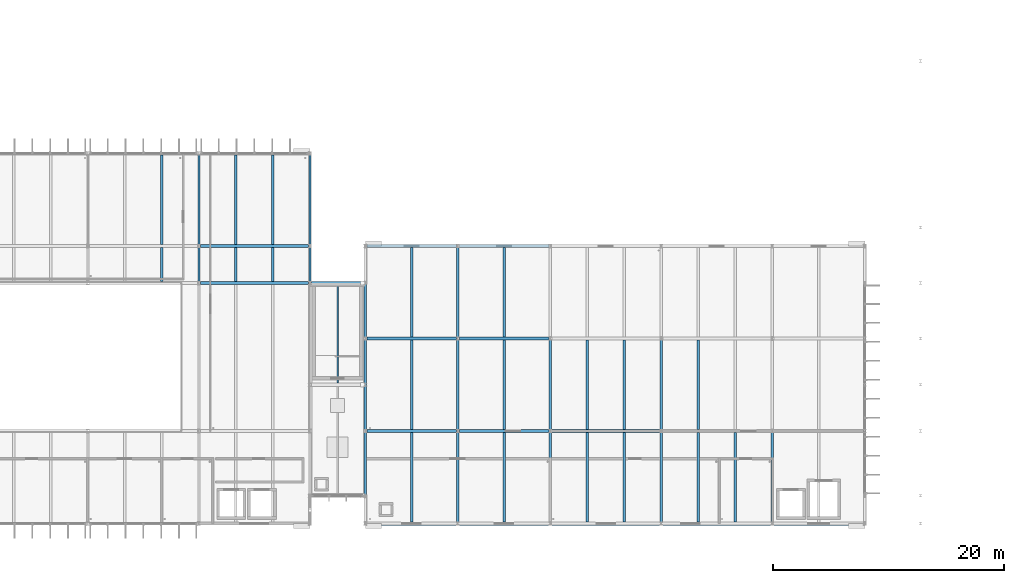
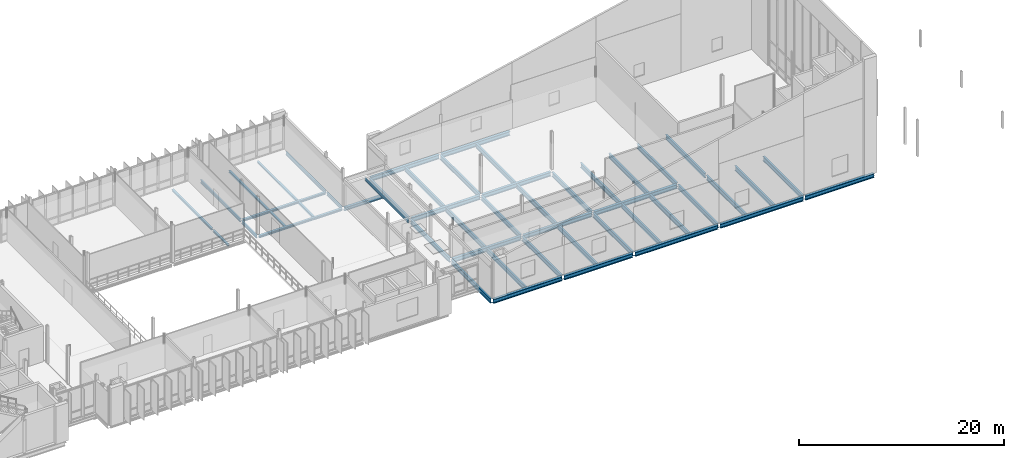
# One storey, part 23 of 59: 50 beams.
"""IFC4 building model written with IfcOpenShell, lengths in metres."""

import ifcopenshell
import ifcopenshell.guid

model = None  # the IFC model being written
_history = None  # IfcOwnerHistory: only IFC2X3 demands one
_inside = {}  # id of a spatial element -> (the spatial element, [elements in it])
_under = {}  # id of a project, library or spatial element -> (it, [spatial elements below it])
_declared = {}  # id of a project -> (the project, [libraries it declares])
_typed = {}  # id of a type object -> (the type object, [elements of that type])
_made_of = {}  # id of a material, layer set ... -> (it, [elements and type objects made of it])


def new_model(schema):
    """Start an empty IFC model of exactly this schema.

    Asked for "IFC4X3", IfcOpenShell would pick the latest addendum, in which some entities
    have other attributes; the version numbers below select the first issue.
    IFC2X3 requires an IfcOwnerHistory on every rooted entity: one is made here for all.
    """
    global model, _history
    if schema == "IFC4X3":
        model = ifcopenshell.file(schema_version=(4, 3, 0, 0))
    else:
        model = ifcopenshell.file(schema=schema)
    _inside.clear()
    _under.clear()
    _declared.clear()
    _typed.clear()
    _made_of.clear()
    _history = None
    if model.schema == "IFC2X3":
        org = make("IfcOrganization", Name="unknown")
        user = make(
            "IfcPersonAndOrganization",
            ThePerson=make("IfcPerson", FamilyName="unknown"),
            TheOrganization=org,
        )
        app = make(
            "IfcApplication",
            ApplicationDeveloper=org,
            Version="unknown",
            ApplicationFullName="unknown",
            ApplicationIdentifier="unknown",
        )
        _history = make(
            "IfcOwnerHistory",
            OwningUser=user,
            OwningApplication=app,
            ChangeAction="ADDED",
            CreationDate=0,
        )
    return model


def make(cls, **values):
    """One entity of the class cls with the attributes given. An attribute that is None is left unset."""
    return model.create_entity(
        cls, **{name: value for name, value in values.items() if value is not None}
    )


def rooted(cls, **values):
    """An entity with a GlobalId (a new one), such as an element, a storey or a relation."""
    return make(cls, GlobalId=ifcopenshell.guid.new(), OwnerHistory=_history, **values)


def si_unit(unit_type, name, prefix=None):
    """IfcSIUnit, for example si_unit("LENGTHUNIT", "METRE", prefix="MILLI")."""
    return make("IfcSIUnit", UnitType=unit_type, Prefix=prefix, Name=name)


def assignment(units):
    """IfcUnitAssignment: the units of a project."""
    return None if units is None else make("IfcUnitAssignment", Units=units)


def point(xyz):
    """IfcCartesianPoint."""
    return None if xyz is None else make("IfcCartesianPoint", Coordinates=xyz)


def direction(xyz):
    """IfcDirection."""
    return None if xyz is None else make("IfcDirection", DirectionRatios=xyz)


def frame(location, z_axis=None, x_axis=None):
    """IfcAxis2Placement3D, a coordinate frame: its origin and axes. An axis left out is left unset."""
    return make(
        "IfcAxis2Placement3D",
        Location=point(location),
        Axis=direction(z_axis),
        RefDirection=direction(x_axis),
    )


def frame_2d(location, x_axis=None):
    """IfcAxis2Placement2D, a coordinate frame in the plane: its origin and x axis."""
    return make(
        "IfcAxis2Placement2D", Location=point(location), RefDirection=direction(x_axis)
    )


def origin():
    """The frame at (0, 0, 0) with its axes left unset."""
    return frame((0.0, 0.0, 0.0))


def origin_2d():
    """The frame at (0, 0) in the plane with its x axis left unset."""
    return frame_2d((0.0, 0.0))


def place(relative_to, where):
    """IfcLocalPlacement: puts the frame where relative to a parent placement (None: the world)."""
    return make(
        "IfcLocalPlacement", PlacementRelTo=relative_to, RelativePlacement=where
    )


def context(
    kind, dimensions, precision=None, world=None, true_north=None, identifier=None
):
    """IfcGeometricRepresentationContext, for example the 3D "Model" context."""
    return make(
        "IfcGeometricRepresentationContext",
        ContextIdentifier=identifier,
        ContextType=kind,
        CoordinateSpaceDimension=dimensions,
        Precision=precision,
        WorldCoordinateSystem=world,
        TrueNorth=true_north,
    )


def subcontext(parent, identifier, kind, view, scale=None):
    """IfcGeometricRepresentationSubContext, for example "Body" below "Model"."""
    return make(
        "IfcGeometricRepresentationSubContext",
        ContextIdentifier=identifier,
        ContextType=kind,
        ParentContext=parent,
        TargetScale=scale,
        TargetView=view,
    )


def project(units=None, contexts=None):
    """IfcProject with its units and contexts."""
    return rooted(
        "IfcProject",
        Name="project",
        RepresentationContexts=contexts,
        UnitsInContext=assignment(units),
    )


def spatial(cls, under=None, at=None, **own):
    """A site, building, storey or space (cls), placed at a placement, below another one or the project."""
    s = rooted(cls, ObjectPlacement=at, **own)
    if under is not None:
        _under.setdefault(under.id(), (under, []))[1].append(s)
    return s


def profile(cls, at=None, kind="AREA", **sizes):
    """A parametric profile (cls). Its sizes go by their IFC names, for example OverallWidth=200.0."""
    return make(cls, ProfileType=kind, Position=at, **sizes)


def i_section(**sizes):
    """IfcIShapeProfileDef."""
    return profile("IfcIShapeProfileDef", **sizes)


def extrude(swept, where, along, depth):
    """IfcExtrudedAreaSolid: the profile swept, set in the frame where, extruded along a direction by depth."""
    return make(
        "IfcExtrudedAreaSolid",
        SweptArea=swept,
        Position=where,
        ExtrudedDirection=direction(along),
        Depth=depth,
    )


def shape(context_of_items, identifier, shape_type, items):
    """IfcShapeRepresentation: the items that make up one representation, for example the "Body"."""
    return make(
        "IfcShapeRepresentation",
        ContextOfItems=context_of_items,
        RepresentationIdentifier=identifier,
        RepresentationType=shape_type,
        Items=items,
    )


def material(Name=None, Category=None):
    """IfcMaterial."""
    return make("IfcMaterial", Name=Name, Category=Category)


def material_profile(
    of_material, cross_section, Name=None, Category=None, Priority=None
):
    """IfcMaterialProfile: a cross section and its material."""
    return make(
        "IfcMaterialProfile",
        Name=Name,
        Material=of_material,
        Profile=cross_section,
        Priority=Priority,
        Category=Category,
    )


def profile_set(profiles, Name=None, composite=None):
    """IfcMaterialProfileSet."""
    return make(
        "IfcMaterialProfileSet",
        Name=Name,
        MaterialProfiles=profiles,
        CompositeProfile=composite,
    )


def made_of(thing, what):
    """Note that an element or type object is made of a material, layer set ...; save() writes the relation."""
    if what is not None:
        _made_of.setdefault(what.id(), (what, []))[1].append(thing)
    return thing


def type_object(cls, material=None, **own):
    """A type object (cls), such as IfcWallType, which elements share."""
    return made_of(rooted(cls, **own), material)


def element(
    cls,
    number,
    at=None,
    inside=None,
    cuts=None,
    type_object=None,
    material=None,
    context=None,
    identifier="Body",
    shape_type=None,
    held_by="IfcProductDefinitionShape",
    body=None,
    shapes=None,
    **own,
):
    """One element of the class cls, such as IfcWall. Its Tag is "e" and its number.

    at: its placement. inside: the storey or other place that contains it. cuts: it is an
    opening in that element (IfcRelVoidsElement). A single representation is given by context,
    identifier, shape_type and body (its items); several are given by shapes. held_by: the class
    of the entity that holds the representations. save() writes the other relations.
    """
    e = rooted(cls, Tag="e%d" % number, ObjectPlacement=at, **own)
    if body is not None:
        shapes = [shape(context, identifier, shape_type, body)]
    if shapes is not None:
        e.Representation = make(held_by, Representations=shapes)
    if inside is not None:
        _inside.setdefault(inside.id(), (inside, []))[1].append(e)
    if cuts is not None:
        rooted(
            "IfcRelVoidsElement", RelatingBuildingElement=cuts, RelatedOpeningElement=e
        )
    if type_object is not None:
        _typed.setdefault(type_object.id(), (type_object, []))[1].append(e)
    return made_of(e, material)


def aggregate(whole, parts):
    """IfcRelAggregates: a whole, such as a stair, and the parts it consists of."""
    return rooted("IfcRelAggregates", RelatingObject=whole, RelatedObjects=parts)


def save(model, path):
    """Write the relations noted so far, then the file.

    IfcRelAggregates (storeys below a building ...), IfcRelContainedInSpatialStructure (elements
    in a storey), IfcRelDefinesByType, IfcRelAssociatesMaterial and IfcRelDeclares: one each for
    every whole, place, type object, material and project.
    """
    for whole, parts in _under.values():
        aggregate(whole, parts)
    for where, things in _inside.values():
        rooted(
            "IfcRelContainedInSpatialStructure",
            RelatedElements=things,
            RelatingStructure=where,
        )
    for kind, things in _typed.values():
        rooted("IfcRelDefinesByType", RelatedObjects=things, RelatingType=kind)
    for what, things in _made_of.values():
        rooted("IfcRelAssociatesMaterial", RelatedObjects=things, RelatingMaterial=what)
    for by, libraries in _declared.values():
        rooted("IfcRelDeclares", RelatingContext=by, RelatedDefinitions=libraries)
    model.write(path)


model = new_model("IFC4")

# Units and contexts
model_context = context("Model", 3, precision=1e-05, world=origin(), true_north=direction((0.0, 1.0)))
body_context = subcontext(model_context, "Body", "Model", "MODEL_VIEW")
ifc_project = project(units=[si_unit("LENGTHUNIT", "METRE"), si_unit("AREAUNIT", "SQUARE_METRE"), si_unit("VOLUMEUNIT", "CUBIC_METRE"), si_unit("PLANEANGLEUNIT", "RADIAN"), si_unit("MASSUNIT", "GRAM", prefix="KILO")], contexts=[model_context])

# Site, building, storey
site_placement = place(None, origin())
site = spatial("IfcSite", under=ifc_project, at=site_placement, CompositionType="ELEMENT")
building_placement = place(site_placement, origin())
building = spatial("IfcBuilding", under=site, at=building_placement, Name="Dunescarp Central Library", CompositionType="ELEMENT")
storey_placement = place(building_placement, frame((0.0, 0.0, 18.60009765625)))
storey = spatial("IfcBuildingStorey", under=building, at=storey_placement, Name="L04", CompositionType="ELEMENT", Elevation=18.60009765625)

# Beams
ifc_material = material(Name="Steel S355JR", Category="steel")
ifc_material_profile_1 = material_profile(ifc_material, i_section(OverallWidth=0.300048828125, OverallDepth=0.389892578125, WebThickness=0.010986328125, FlangeThickness=0.01904296875, at=origin_2d()), Name="HEA 400")
ifc_profile_set_1 = profile_set([ifc_material_profile_1], Name="Steel S355JR")
beam_type_1 = type_object("IfcBeamType", Name="STR-BM-HEA400", PredefinedType="BEAM", material=ifc_profile_set_1)
beam_1_placement = place(storey_placement, frame((76.927978515625, 25.60009765625, -0.445068359375), z_axis=(1.0, 0.0, 0.0), x_axis=(0.0, 1.0, 0.0)))
element("IfcBeam", 1, at=beam_1_placement, inside=storey, type_object=beam_type_1, Name="L04 girder BM-L04-1256", PredefinedType="BEAM", context=body_context, shape_type="SweptSolid", body=[
    extrude(i_section(OverallWidth=0.300048828125, OverallDepth=0.389892578125, WebThickness=0.010986328125, FlangeThickness=0.01904296875, at=origin_2d()), origin(), (0.0, 0.0, 1.0), 4.547119140625),
])
ifc_material_profile_2 = material_profile(ifc_material, i_section(OverallWidth=0.300048828125, OverallDepth=0.489990234375, WebThickness=0.011962890625, FlangeThickness=0.02294921875, at=origin_2d()), Name="HEA 500")
ifc_profile_set_2 = profile_set([ifc_material_profile_2], Name="Steel S355JR")
beam_type_2 = type_object("IfcBeamType", Name="STR-BM-HEA500", PredefinedType="BEAM", material=ifc_profile_set_2)
for number, where, z_axis, x_axis, name in (
    (2, (81.72802734375, 4.800048828125, -0.4951171875), (1.0, 0.0, 0.0), (0.0, 1.0, 0.0), "L04 girder BM-L04-0886"),
    (3, (81.72802734375, 12.800048828125, -0.4951171875), (1.0, 0.0, 0.0), (0.0, 1.0, 0.0), "L04 girder BM-L04-0887"),
    (4, (81.72802734375, 20.800048828125, -0.4951171875), (1.0, 0.0, 0.0), (0.0, 1.0, 0.0), "L04 girder BM-L04-0891"),
    (5, (81.72802734375, 28.800048828125, -0.4951171875), (1.0, 0.0, 0.0), (0.0, 1.0, 0.0), "L04 girder BM-L04-0895"),
    (6, (89.72802734375, 4.800048828125, -0.4951171875), (1.0, 0.0, 0.0), (0.0, 1.0, 0.0), "L04 girder BM-L04-0899"),
    (7, (89.72802734375, 12.800048828125, -0.4951171875), (1.0, 0.0, 0.0), (0.0, 1.0, 0.0), "L04 girder BM-L04-0900"),
    (8, (89.72802734375, 20.800048828125, -0.4951171875), (1.0, 0.0, 0.0), (0.0, 1.0, 0.0), "L04 girder BM-L04-0903"),
    (9, (89.72802734375, 28.800048828125, -0.4951171875), (1.0, 0.0, 0.0), (0.0, 1.0, 0.0), "L04 girder BM-L04-0906"),
):
    element("IfcBeam", number, at=place(storey_placement, frame(where, z_axis=z_axis, x_axis=x_axis)), inside=storey, type_object=beam_type_2, Name=name, PredefinedType="BEAM", context=body_context, shape_type="SweptSolid", body=[
        extrude(i_section(OverallWidth=0.300048828125, OverallDepth=0.489990234375, WebThickness=0.011962890625, FlangeThickness=0.02294921875, at=origin_2d()), origin(), (0.0, 0.0, 1.0), 7.743896484375),
    ])
for number, where, z_axis, x_axis, name in (
    (10, (97.72802734375, 4.800048828125, -0.4951171875), (1.0, 0.0, 0.0), (0.0, 1.0, 0.0), "L04 girder BM-L04-0909"),
    (11, (97.72802734375, 12.800048828125, -0.4951171875), (1.0, 0.0, 0.0), (0.0, 1.0, 0.0), "L04 girder BM-L04-0910"),
):
    element("IfcBeam", number, at=place(storey_placement, frame(where, z_axis=z_axis, x_axis=x_axis)), inside=storey, type_object=beam_type_2, Name=name, PredefinedType="BEAM", context=body_context, shape_type="SweptSolid", body=[
        extrude(i_section(OverallWidth=0.300048828125, OverallDepth=0.489990234375, WebThickness=0.011962890625, FlangeThickness=0.02294921875, at=origin_2d()), origin(), (0.0, 0.0, 1.0), 9.343994140625),
    ])
beam_2_placement = place(storey_placement, frame((107.327880859375, 4.800048828125, -0.4951171875), z_axis=(1.0, 0.0, 0.0), x_axis=(0.0, 1.0, 0.0)))
element("IfcBeam", 12, at=beam_2_placement, inside=storey, type_object=beam_type_2, Name="L04 girder BM-L04-0922", PredefinedType="BEAM", context=body_context, shape_type="SweptSolid", body=[
    extrude(i_section(OverallWidth=0.300048828125, OverallDepth=0.489990234375, WebThickness=0.011962890625, FlangeThickness=0.02294921875, at=origin_2d()), origin(), (0.0, 0.0, 1.0), 9.34423828125),
])
beam_3_placement = place(storey_placement, frame((116.927978515625, 4.800048828125, -0.4951171875), z_axis=(1.0, 0.0, 0.0), x_axis=(0.0, 1.0, 0.0)))
element("IfcBeam", 13, at=beam_3_placement, inside=storey, type_object=beam_type_2, Name="L04 girder BM-L04-0935", PredefinedType="BEAM", context=body_context, shape_type="SweptSolid", body=[
    extrude(i_section(OverallWidth=0.300048828125, OverallDepth=0.489990234375, WebThickness=0.011962890625, FlangeThickness=0.02294921875, at=origin_2d()), origin(), (0.0, 0.0, 1.0), 7.744140625),
])
ifc_material_profile_3 = material_profile(ifc_material, i_section(OverallWidth=0.260009765625, OverallDepth=0.260009765625, WebThickness=0.010009765625, FlangeThickness=0.017578125, at=origin_2d()), Name="HEB 260")
ifc_profile_set_3 = profile_set([ifc_material_profile_3], Name="Steel S355JR")
beam_type_3 = type_object("IfcBeamType", Name="STR-BM-HEB260", PredefinedType="BEAM", material=ifc_profile_set_3)
beam_4_placement = place(storey_placement, frame((67.327880859375, 25.60009765625, -0.380126953125), z_axis=(1.0, 0.0, 0.0), x_axis=(0.0, 1.0, 0.0)))
element("IfcBeam", 14, at=beam_4_placement, inside=storey, type_object=beam_type_3, Name="L04 girder BM-L04-0593", PredefinedType="BEAM", context=body_context, shape_type="SweptSolid", body=[
    extrude(i_section(OverallWidth=0.260009765625, OverallDepth=0.260009765625, WebThickness=0.010009765625, FlangeThickness=0.017578125, at=origin_2d()), origin(), (0.0, 0.0, 1.0), 9.34423828125),
])
beam_5_placement = place(storey_placement, frame((67.324951171875, 28.800048828125, -0.380126953125), z_axis=(1.0, 0.0, 0.0), x_axis=(0.0, 1.0, 0.0)))
element("IfcBeam", 15, at=beam_5_placement, inside=storey, type_object=beam_type_3, Name="L04 girder BM-L04-0597", PredefinedType="BEAM", context=body_context, shape_type="SweptSolid", body=[
    extrude(i_section(OverallWidth=0.260009765625, OverallDepth=0.260009765625, WebThickness=0.010009765625, FlangeThickness=0.017578125, at=origin_2d()), origin(), (0.0, 0.0, 1.0), 9.35009765625),
])
ifc_material_profile_4 = material_profile(ifc_material, i_section(OverallWidth=0.173095703125, OverallDepth=0.36328125, WebThickness=0.009033203125, FlangeThickness=0.015625, at=origin_2d()), Name="UB 356x171x67")
ifc_profile_set_4 = profile_set([ifc_material_profile_4], Name="Steel S355JR")
beam_type_4 = type_object("IfcBeamType", Name="STR-BM-UB356X67", PredefinedType="BEAM", material=ifc_profile_set_4)
beam_6_placement = place(storey_placement, frame((67.199951171875, 25.735107421875, -0.43212890625), z_axis=(0.0, 1.0, 0.0), x_axis=(-1.0, 0.0, 0.0)))
element("IfcBeam", 16, at=beam_6_placement, inside=storey, type_object=beam_type_4, Name="L04 girder BM-L04-0581", PredefinedType="BEAM", context=body_context, shape_type="SweptSolid", body=[
    extrude(i_section(OverallWidth=0.173095703125, OverallDepth=0.36328125, WebThickness=0.009033203125, FlangeThickness=0.015625, at=origin_2d()), origin(), (0.0, 0.0, 1.0), 2.93798828125),
])
beam_7_placement = place(storey_placement, frame((67.199951171875, 28.927001953125, -0.43212890625), z_axis=(0.0, 1.0, 0.0), x_axis=(-1.0, 0.0, 0.0)))
element("IfcBeam", 17, at=beam_7_placement, inside=storey, type_object=beam_type_4, Name="L04 girder BM-L04-0585", PredefinedType="BEAM", context=body_context, shape_type="SweptSolid", body=[
    extrude(i_section(OverallWidth=0.173095703125, OverallDepth=0.36328125, WebThickness=0.009033203125, FlangeThickness=0.015625, at=origin_2d()), origin(), (0.0, 0.0, 1.0), 7.738037109375),
])
beam_8_placement = place(storey_placement, frame((76.800048828125, 25.735107421875, -0.43212890625), z_axis=(0.0, 1.0, 0.0), x_axis=(-1.0, 0.0, 0.0)))
element("IfcBeam", 18, at=beam_8_placement, inside=storey, type_object=beam_type_4, Name="L04 girder BM-L04-0598", PredefinedType="BEAM", context=body_context, shape_type="SweptSolid", body=[
    extrude(i_section(OverallWidth=0.173095703125, OverallDepth=0.36328125, WebThickness=0.009033203125, FlangeThickness=0.015625, at=origin_2d()), origin(), (0.0, 0.0, 1.0), 2.93798828125),
])
beam_9_placement = place(storey_placement, frame((76.800048828125, 28.927001953125, -0.43212890625), z_axis=(0.0, 1.0, 0.0), x_axis=(-1.0, 0.0, 0.0)))
element("IfcBeam", 19, at=beam_9_placement, inside=storey, type_object=beam_type_4, Name="L04 girder BM-L04-0602", PredefinedType="BEAM", context=body_context, shape_type="SweptSolid", body=[
    extrude(i_section(OverallWidth=0.173095703125, OverallDepth=0.36328125, WebThickness=0.009033203125, FlangeThickness=0.015625, at=origin_2d()), origin(), (0.0, 0.0, 1.0), 7.738037109375),
])
ifc_material_profile_5 = material_profile(ifc_material, i_section(OverallWidth=0.210693359375, OverallDepth=0.53955078125, WebThickness=0.01171875, FlangeThickness=0.018798828125, at=origin_2d()), Name="UB 533x210x109")
ifc_profile_set_5 = profile_set([ifc_material_profile_5], Name="Steel S355JR")
beam_type_5 = type_object("IfcBeamType", Name="STR-BM-UB533X109", PredefinedType="BEAM", material=ifc_profile_set_5)
for number, where, z_axis, x_axis, name in (
    (20, (81.60009765625, 4.93505859375, -0.52001953125), (0.0, 1.0, 0.0), (-1.0, 0.0, 0.0), "L04 girder BM-L04-0888"),
    (21, (89.60009765625, 4.93505859375, -0.52001953125), (0.0, 1.0, 0.0), (-1.0, 0.0, 0.0), "L04 girder BM-L04-0889"),
    (22, (81.60009765625, 12.93505859375, -0.52001953125), (0.0, 1.0, 0.0), (-1.0, 0.0, 0.0), "L04 girder BM-L04-0892"),
    (23, (89.60009765625, 12.93505859375, -0.52001953125), (0.0, 1.0, 0.0), (-1.0, 0.0, 0.0), "L04 girder BM-L04-0893"),
    (24, (81.60009765625, 20.93505859375, -0.52001953125), (0.0, 1.0, 0.0), (-1.0, 0.0, 0.0), "L04 girder BM-L04-0896"),
    (25, (89.60009765625, 20.93505859375, -0.52001953125), (0.0, 1.0, 0.0), (-1.0, 0.0, 0.0), "L04 girder BM-L04-0897"),
    (26, (97.60009765625, 4.93505859375, -0.52001953125), (0.0, 1.0, 0.0), (-1.0, 0.0, 0.0), "L04 girder BM-L04-0901"),
    (27, (97.60009765625, 12.93505859375, -0.52001953125), (0.0, 1.0, 0.0), (-1.0, 0.0, 0.0), "L04 girder BM-L04-0904"),
    (28, (107.199951171875, 4.93505859375, -0.52001953125), (0.0, 1.0, 0.0), (-1.0, 0.0, 0.0), "L04 girder BM-L04-0911"),
    (29, (107.199951171875, 12.93505859375, -0.52001953125), (0.0, 1.0, 0.0), (-1.0, 0.0, 0.0), "L04 girder BM-L04-0915"),
    (30, (116.800048828125, 4.93505859375, -0.52001953125), (0.0, 1.0, 0.0), (-1.0, 0.0, 0.0), "L04 girder BM-L04-0924"),
):
    element("IfcBeam", number, at=place(storey_placement, frame(where, z_axis=z_axis, x_axis=x_axis)), inside=storey, type_object=beam_type_5, Name=name, PredefinedType="BEAM", context=body_context, shape_type="SweptSolid", body=[
        extrude(i_section(OverallWidth=0.210693359375, OverallDepth=0.53955078125, WebThickness=0.01171875, FlangeThickness=0.018798828125, at=origin_2d()), origin(), (0.0, 0.0, 1.0), 7.72998046875),
    ])
ifc_material_profile_6 = material_profile(ifc_material, i_section(OverallWidth=0.219970703125, OverallDepth=0.2099609375, WebThickness=0.007080078125, FlangeThickness=0.010986328125, at=origin_2d()), Name="HEA 220")
ifc_profile_set_6 = profile_set([ifc_material_profile_6], Name="Steel S355JR")
beam_type_6 = type_object("IfcBeamType", Name="STR-JS-HEA220", PredefinedType="JOIST", material=ifc_profile_set_6)
beam_10_placement = place(storey_placement, frame((64.0, 25.72802734375, -0.35498046875), z_axis=(0.0, 1.0, 0.0), x_axis=(-1.0, 0.0, 0.0)))
element("IfcBeam", 31, at=beam_10_placement, inside=storey, type_object=beam_type_6, Name="L04 joist JS-L04-0583", PredefinedType="JOIST", context=body_context, shape_type="SweptSolid", body=[
    extrude(i_section(OverallWidth=0.219970703125, OverallDepth=0.2099609375, WebThickness=0.007080078125, FlangeThickness=0.010986328125, at=origin_2d()), origin(), (0.0, 0.0, 1.0), 2.944091796875),
])
beam_11_placement = place(storey_placement, frame((64.0, 28.927978515625, -0.35498046875), z_axis=(0.0, 1.0, 0.0), x_axis=(-1.0, 0.0, 0.0)))
element("IfcBeam", 32, at=beam_11_placement, inside=storey, type_object=beam_type_6, Name="L04 joist JS-L04-0587", PredefinedType="JOIST", context=body_context, shape_type="SweptSolid", body=[
    extrude(i_section(OverallWidth=0.219970703125, OverallDepth=0.2099609375, WebThickness=0.007080078125, FlangeThickness=0.010986328125, at=origin_2d()), origin(), (0.0, 0.0, 1.0), 7.744140625),
])
for number, where, z_axis, x_axis, name in (
    (33, (70.39990234375, 25.72802734375, -0.35498046875), (0.0, 1.0, 0.0), (-1.0, 0.0, 0.0), "L04 joist JS-L04-0599"),
    (34, (73.60009765625, 25.72802734375, -0.35498046875), (0.0, 1.0, 0.0), (-1.0, 0.0, 0.0), "L04 joist JS-L04-0600"),
):
    element("IfcBeam", number, at=place(storey_placement, frame(where, z_axis=z_axis, x_axis=x_axis)), inside=storey, type_object=beam_type_6, Name=name, PredefinedType="JOIST", context=body_context, shape_type="SweptSolid", body=[
        extrude(i_section(OverallWidth=0.219970703125, OverallDepth=0.2099609375, WebThickness=0.007080078125, FlangeThickness=0.010986328125, at=origin_2d()), origin(), (0.0, 0.0, 1.0), 2.944091796875),
    ])
for number, where, z_axis, x_axis, name in (
    (35, (70.39990234375, 28.927978515625, -0.35498046875), (0.0, 1.0, 0.0), (-1.0, 0.0, 0.0), "L04 joist JS-L04-0603"),
    (36, (73.60009765625, 28.927978515625, -0.35498046875), (0.0, 1.0, 0.0), (-1.0, 0.0, 0.0), "L04 joist JS-L04-0604"),
):
    element("IfcBeam", number, at=place(storey_placement, frame(where, z_axis=z_axis, x_axis=x_axis)), inside=storey, type_object=beam_type_6, Name=name, PredefinedType="JOIST", context=body_context, shape_type="SweptSolid", body=[
        extrude(i_section(OverallWidth=0.219970703125, OverallDepth=0.2099609375, WebThickness=0.007080078125, FlangeThickness=0.010986328125, at=origin_2d()), origin(), (0.0, 0.0, 1.0), 7.744140625),
    ])
ifc_material_profile_7 = material_profile(ifc_material, i_section(OverallWidth=0.135009765625, OverallDepth=0.27001953125, WebThickness=0.006591796875, FlangeThickness=0.01025390625, at=origin_2d()), Name="IPE 270")
ifc_profile_set_7 = profile_set([ifc_material_profile_7], Name="Steel S355JR")
beam_type_7 = type_object("IfcBeamType", Name="STR-JS-IPE270", PredefinedType="JOIST", material=ifc_profile_set_7)
beam_12_placement = place(storey_placement, frame((79.199951171875, 16.947998046875, 2.46484375), z_axis=(0.0, 1.0, 0.0), x_axis=(-1.0, 0.0, 0.0)))
element("IfcBeam", 37, at=beam_12_placement, inside=storey, type_object=beam_type_7, Name="L04 joist JS-L04-20008", PredefinedType="JOIST", context=body_context, shape_type="SweptSolid", body=[
    extrude(i_section(OverallWidth=0.135009765625, OverallDepth=0.27001953125, WebThickness=0.006591796875, FlangeThickness=0.01025390625, at=origin_2d()), origin(), (0.0, 0.0, 1.0), 8.50390625),
])
ifc_material_profile_8 = material_profile(ifc_material, i_section(OverallWidth=0.2099609375, OverallDepth=0.550048828125, WebThickness=0.010986328125, FlangeThickness=0.01708984375, at=origin_2d()), Name="IPE 550")
ifc_profile_set_8 = profile_set([ifc_material_profile_8], Name="Steel S355JR")
beam_type_8 = type_object("IfcBeamType", Name="STR-JS-IPE550", PredefinedType="JOIST", material=ifc_profile_set_8)
for number, where, z_axis, x_axis, name in (
    (38, (85.60009765625, 4.947998046875, -0.525146484375), (0.0, 1.0, 0.0), (-1.0, 0.0, 0.0), "L04 joist JS-L04-0890"),
    (39, (85.60009765625, 12.947998046875, -0.525146484375), (0.0, 1.0, 0.0), (-1.0, 0.0, 0.0), "L04 joist JS-L04-0894"),
    (40, (85.60009765625, 20.947998046875, -0.525146484375), (0.0, 1.0, 0.0), (-1.0, 0.0, 0.0), "L04 joist JS-L04-0898"),
    (41, (93.60009765625, 4.947998046875, -0.525146484375), (0.0, 1.0, 0.0), (-1.0, 0.0, 0.0), "L04 joist JS-L04-0902"),
    (42, (93.60009765625, 12.947998046875, -0.525146484375), (0.0, 1.0, 0.0), (-1.0, 0.0, 0.0), "L04 joist JS-L04-0905"),
    (43, (93.60009765625, 20.947998046875, -0.525146484375), (0.0, 1.0, 0.0), (-1.0, 0.0, 0.0), "L04 joist JS-L04-0908"),
    (44, (100.800048828125, 4.947998046875, -0.525146484375), (0.0, 1.0, 0.0), (-1.0, 0.0, 0.0), "L04 joist JS-L04-0912"),
    (45, (104.0, 4.947998046875, -0.525146484375), (0.0, 1.0, 0.0), (-1.0, 0.0, 0.0), "L04 joist JS-L04-0913"),
    (46, (100.800048828125, 12.947998046875, -0.525146484375), (0.0, 1.0, 0.0), (-1.0, 0.0, 0.0), "L04 joist JS-L04-0916"),
    (47, (104.0, 12.947998046875, -0.525146484375), (0.0, 1.0, 0.0), (-1.0, 0.0, 0.0), "L04 joist JS-L04-0917"),
    (48, (110.39990234375, 4.947998046875, -0.525146484375), (0.0, 1.0, 0.0), (-1.0, 0.0, 0.0), "L04 joist JS-L04-0925"),
    (49, (113.60009765625, 4.947998046875, -0.525146484375), (0.0, 1.0, 0.0), (-1.0, 0.0, 0.0), "L04 joist JS-L04-0926"),
    (50, (110.39990234375, 12.947998046875, -0.525146484375), (0.0, 1.0, 0.0), (-1.0, 0.0, 0.0), "L04 joist JS-L04-0929"),
):
    element("IfcBeam", number, at=place(storey_placement, frame(where, z_axis=z_axis, x_axis=x_axis)), inside=storey, type_object=beam_type_8, Name=name, PredefinedType="JOIST", context=body_context, shape_type="SweptSolid", body=[
        extrude(i_section(OverallWidth=0.2099609375, OverallDepth=0.550048828125, WebThickness=0.010986328125, FlangeThickness=0.01708984375, at=origin_2d()), origin(), (0.0, 0.0, 1.0), 7.7041015625),
    ])

save(model, "model.ifc")
